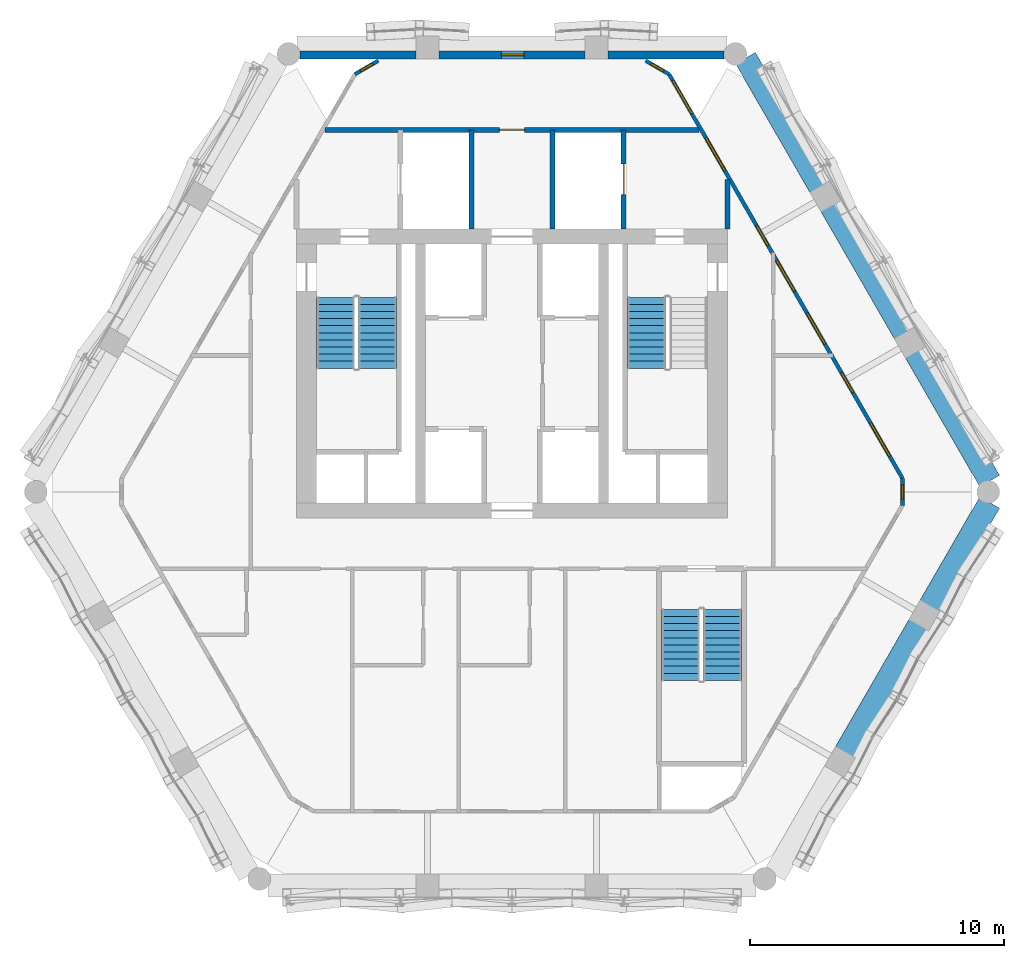
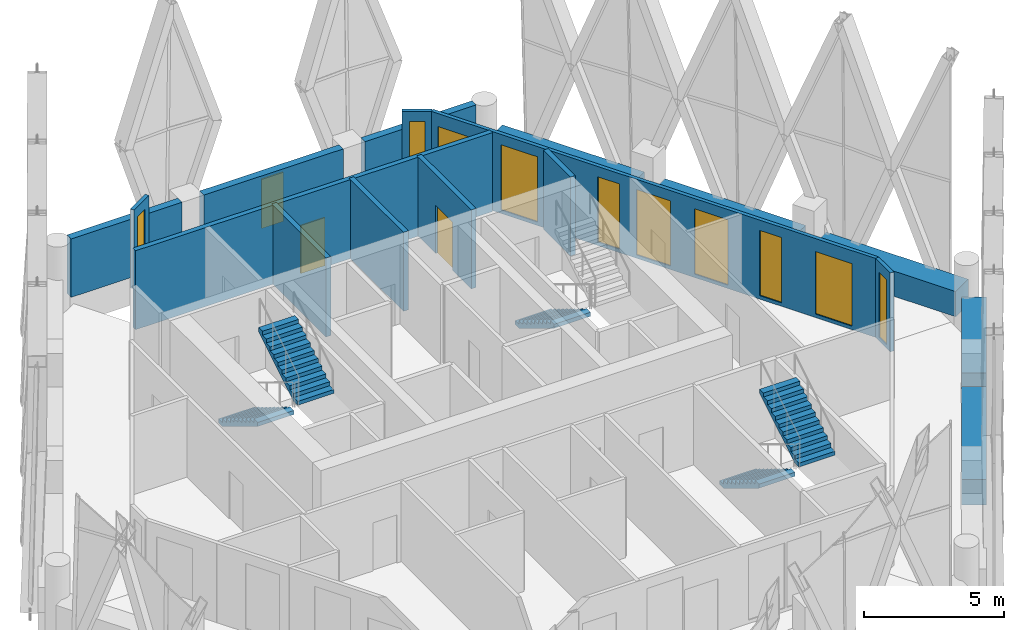
# One storey, part 15 of 22: 17 walls, 11 windows, 5 stair flights, 2 doors, 13 openings, 3 elements without a shape of their own.
"""IFC4 building model written with IfcOpenShell, lengths in metres."""

from ifc_helpers import new_model, si_unit, direction, frame, frame_2d, origin, place, context, subcontext, project, spatial, polyline, rectangle, outline, extrude, material, layer, layer_set, type_object, element, fill, aggregate, save


model = new_model("IFC4")

# Units and contexts
model_context = context("Model", 3, precision=1e-05, world=origin(), true_north=direction((0.0, 1.0)))
body_context = subcontext(model_context, "Body", "Model", "MODEL_VIEW")
ifc_project = project(units=[si_unit("LENGTHUNIT", "METRE"), si_unit("AREAUNIT", "SQUARE_METRE"), si_unit("VOLUMEUNIT", "CUBIC_METRE"), si_unit("PLANEANGLEUNIT", "RADIAN"), si_unit("MASSUNIT", "GRAM", prefix="KILO")], contexts=[model_context])

# Site, building, storey
site_placement = place(None, origin())
site = spatial("IfcSite", under=ifc_project, at=site_placement, CompositionType="ELEMENT")
building_placement = place(site_placement, origin())
building = spatial("IfcBuilding", under=site, at=building_placement, Name="Ostrander Bayou Hotel Tower", CompositionType="ELEMENT")
storey_placement = place(building_placement, frame((0.0, 0.0, 245.0)))
storey = spatial("IfcBuildingStorey", under=building, at=storey_placement, Name="L60", CompositionType="ELEMENT", Elevation=245.0)

# Wall, openings, windows
ifc_material_1 = material(Name="Aluminium framed insulated wall", Category="aluminium")
ifc_layer_1 = layer(ifc_material_1, 0.14990234375)
ifc_layer_set_1 = layer_set([ifc_layer_1], Name="GW1 glass-line wall 150 mm")
wall_type_1 = type_object("IfcWallType", Name="GW1 glass-line wall 150 mm", PredefinedType="SOLIDWALL", material=ifc_layer_set_1)
wall_1_placement = place(storey_placement, frame((15.387451171875, -0.133056640625, 0.0), z_axis=(0.0, 0.0, 1.0), x_axis=(-0.499998651697, 0.866026182226, 0.0)))
wall_1 = element("IfcWall", 1, at=wall_1_placement, inside=storey, type_object=wall_type_1, Name="GW1 L60 NE 1", PredefinedType="SOLIDWALL", context=body_context, shape_type="SweptSolid", body=[
    extrude(rectangle(XDim=18.38916015625, YDim=0.14990234375, at=frame_2d((9.194580078125, 0.0))), origin(), (0.0, 0.0, 1.0), 3.449951171875),
])
opening_1_placement = place(wall_1_placement, frame((3.908935546875, 0.0, 0.14990234375)))
opening_1 = element("IfcOpeningElement", 2, at=opening_1_placement, cuts=wall_1, Name="Opening W18", PredefinedType="OPENING", context=body_context, shape_type="SweptSolid", body=[
    extrude(rectangle(XDim=0.89990234375, YDim=2.85009765625, at=frame_2d((0.449951171875, 1.425048828125))), frame((0.0, 0.074951171875, 0.0), z_axis=(0.0, -1.0, 0.0), x_axis=(1.0, 0.0, 0.0)), (0.0, 0.0, 1.0), 0.14990234375),
])
opening_2_placement = place(wall_1_placement, frame((6.10888671875, 0.0, 0.14990234375)))
opening_2 = element("IfcOpeningElement", 3, at=opening_2_placement, cuts=wall_1, Name="Opening W14", PredefinedType="OPENING", context=body_context, shape_type="SweptSolid", body=[
    extrude(rectangle(XDim=1.39990234375, YDim=2.85009765625, at=frame_2d((0.699951171875, 1.425048828125))), frame((0.0, 0.074951171875, 0.0), z_axis=(0.0, -1.0, 0.0), x_axis=(1.0, 0.0, 0.0)), (0.0, 0.0, 1.0), 0.14990234375),
])
opening_3_placement = place(wall_1_placement, frame((10.60302734375, 0.0, 0.14990234375)))
opening_3 = element("IfcOpeningElement", 4, at=opening_3_placement, cuts=wall_1, Name="Opening W18", PredefinedType="OPENING", context=body_context, shape_type="SweptSolid", body=[
    extrude(rectangle(XDim=0.89990234375, YDim=2.85009765625, at=frame_2d((0.449951171875, 1.425048828125))), frame((0.0, 0.074951171875, 0.0), z_axis=(0.0, -1.0, 0.0), x_axis=(1.0, 0.0, 0.0)), (0.0, 0.0, 1.0), 0.14990234375),
])
opening_4_placement = place(wall_1_placement, frame((8.503173828125, 0.0, 0.14990234375)))
opening_4 = element("IfcOpeningElement", 5, at=opening_4_placement, cuts=wall_1, Name="Opening W14", PredefinedType="OPENING", context=body_context, shape_type="SweptSolid", body=[
    extrude(rectangle(XDim=1.39990234375, YDim=2.85009765625, at=frame_2d((0.699951171875, 1.425048828125))), frame((0.0, 0.074951171875, 0.0), z_axis=(0.0, -1.0, 0.0), x_axis=(1.0, 0.0, 0.0)), (0.0, 0.0, 1.0), 0.14990234375),
])
opening_5_placement = place(wall_1_placement, frame((13.99560546875, 0.0, 0.14990234375)))
opening_5 = element("IfcOpeningElement", 6, at=opening_5_placement, cuts=wall_1, Name="Opening W4", PredefinedType="OPENING", context=body_context, shape_type="SweptSolid", body=[
    extrude(rectangle(XDim=1.5, YDim=2.85009765625, at=frame_2d((0.75, 1.425048828125))), frame((0.0, 0.074951171875, 0.0), z_axis=(0.0, -1.0, 0.0), x_axis=(1.0, 0.0, 0.0)), (0.0, 0.0, 1.0), 0.14990234375),
])
opening_6_placement = place(wall_1_placement, frame((1.00439453125, 0.0, 0.14990234375)))
opening_6 = element("IfcOpeningElement", 7, at=opening_6_placement, cuts=wall_1, Name="Opening W4", PredefinedType="OPENING", context=body_context, shape_type="SweptSolid", body=[
    extrude(rectangle(XDim=1.5, YDim=2.72998046875, at=frame_2d((0.75, 1.364990234375))), frame((0.0, 0.074951171875, 0.0), z_axis=(0.0, -1.0, 0.0), x_axis=(1.0, 0.0, 0.0)), (0.0, 0.0, 1.0), 0.14990234375),
])
opening_7_placement = place(wall_1_placement, frame((16.59912109375, 0.0, 0.14990234375)))
opening_7 = element("IfcOpeningElement", 8, at=opening_7_placement, cuts=wall_1, Name="Opening W4", PredefinedType="OPENING", context=body_context, shape_type="SweptSolid", body=[
    extrude(rectangle(XDim=1.5, YDim=2.72998046875, at=frame_2d((0.75, 1.364990234375))), frame((0.0, 0.074951171875, 0.0), z_axis=(0.0, -1.0, 0.0), x_axis=(1.0, 0.0, 0.0)), (0.0, 0.0, 1.0), 0.14990234375),
])
ifc_material_2 = material(Name="Aluminium and clear glass", Category="aluminium")
window_type_1 = type_object("IfcWindowType", Name="W14 fixed window 1400 mm, bath bay, zone 4", PartitioningType="SINGLE_PANEL", PredefinedType="WINDOW", material=ifc_material_2)
window_1_placement = place(opening_2_placement, origin())
window_1 = element("IfcWindow", 9, at=window_1_placement, inside=storey, type_object=window_type_1, Name="W14 L60 NE 2", OverallHeight=2.85009765625, OverallWidth=1.39990234375, PartitioningType="SINGLE_PANEL", PredefinedType="WINDOW", context=body_context, shape_type="SweptSolid", body=[
    extrude(rectangle(XDim=1.39990234375, YDim=2.85009765625, at=frame_2d((0.699951171875, 1.425048828125))), frame((0.0, 0.030029296875, 0.0), z_axis=(0.0, -1.0, 0.0), x_axis=(1.0, 0.0, 0.0)), (0.0, 0.0, 1.0), 0.06005859375),
])
fill(opening_2, window_1)
window_2_placement = place(opening_4_placement, origin())
window_2 = element("IfcWindow", 10, at=window_2_placement, inside=storey, type_object=window_type_1, Name="W14 L60 NE 3", OverallHeight=2.85009765625, OverallWidth=1.39990234375, PartitioningType="SINGLE_PANEL", PredefinedType="WINDOW", context=body_context, shape_type="SweptSolid", body=[
    extrude(rectangle(XDim=1.39990234375, YDim=2.85009765625, at=frame_2d((0.699951171875, 1.425048828125))), frame((0.0, 0.030029296875, 0.0), z_axis=(0.0, -1.0, 0.0), x_axis=(1.0, 0.0, 0.0)), (0.0, 0.0, 1.0), 0.06005859375),
])
fill(opening_4, window_2)
ifc_material_3 = material(Name="Aluminium and clear glass", Category="aluminium")
window_type_2 = type_object("IfcWindowType", Name="W18 window 900 mm, zone 4", PartitioningType="SINGLE_PANEL", PredefinedType="WINDOW", material=ifc_material_3)
window_3_placement = place(opening_1_placement, origin())
window_3 = element("IfcWindow", 11, at=window_3_placement, inside=storey, type_object=window_type_2, Name="W18 L60 NE 2", OverallHeight=2.85009765625, OverallWidth=0.89990234375, PartitioningType="SINGLE_PANEL", PredefinedType="WINDOW", context=body_context, shape_type="SweptSolid", body=[
    extrude(rectangle(XDim=0.89990234375, YDim=2.85009765625, at=frame_2d((0.449951171875, 1.425048828125))), frame((0.0, 0.030029296875, 0.0), z_axis=(0.0, -1.0, 0.0), x_axis=(1.0, 0.0, 0.0)), (0.0, 0.0, 1.0), 0.06005859375),
])
fill(opening_1, window_3)
window_4_placement = place(opening_3_placement, origin())
window_4 = element("IfcWindow", 12, at=window_4_placement, inside=storey, type_object=window_type_2, Name="W18 L60 NE 3", OverallHeight=2.85009765625, OverallWidth=0.89990234375, PartitioningType="SINGLE_PANEL", PredefinedType="WINDOW", context=body_context, shape_type="SweptSolid", body=[
    extrude(rectangle(XDim=0.89990234375, YDim=2.85009765625, at=frame_2d((0.449951171875, 1.425048828125))), frame((0.0, 0.030029296875, 0.0), z_axis=(0.0, -1.0, 0.0), x_axis=(1.0, 0.0, 0.0)), (0.0, 0.0, 1.0), 0.06005859375),
])
fill(opening_3, window_4)
ifc_material_4 = material(Name="Aluminium and clear glass", Category="aluminium")
window_type_3 = type_object("IfcWindowType", Name="W4 fixed window 1500 mm, zone 4", PartitioningType="SINGLE_PANEL", PredefinedType="WINDOW", material=ifc_material_4)
window_5_placement = place(opening_5_placement, origin())
window_5 = element("IfcWindow", 13, at=window_5_placement, inside=storey, type_object=window_type_3, Name="W4 L60 NE 4", OverallHeight=2.85009765625, OverallWidth=1.5, PartitioningType="SINGLE_PANEL", PredefinedType="WINDOW", context=body_context, shape_type="SweptSolid", body=[
    extrude(rectangle(XDim=1.5, YDim=2.85009765625, at=frame_2d((0.75, 1.425048828125))), frame((0.0, 0.030029296875, 0.0), z_axis=(0.0, -1.0, 0.0), x_axis=(1.0, 0.0, 0.0)), (0.0, 0.0, 1.0), 0.06005859375),
])
fill(opening_5, window_5)
window_6_placement = place(opening_6_placement, origin())
window_6 = element("IfcWindow", 14, at=window_6_placement, inside=storey, type_object=window_type_3, Name="W4 L60 NE E11", OverallHeight=2.72998046875, OverallWidth=1.5, PartitioningType="SINGLE_PANEL", PredefinedType="WINDOW", context=body_context, shape_type="SweptSolid", body=[
    extrude(rectangle(XDim=1.5, YDim=2.72998046875, at=frame_2d((0.75, 1.364990234375))), frame((0.0, 0.030029296875, 0.0), z_axis=(0.0, -1.0, 0.0), x_axis=(1.0, 0.0, 0.0)), (0.0, 0.0, 1.0), 0.06005859375),
])
fill(opening_6, window_6)
window_7_placement = place(opening_7_placement, origin())
window_7 = element("IfcWindow", 15, at=window_7_placement, inside=storey, type_object=window_type_3, Name="W4 L60 NE E21", OverallHeight=2.72998046875, OverallWidth=1.5, PartitioningType="SINGLE_PANEL", PredefinedType="WINDOW", context=body_context, shape_type="SweptSolid", body=[
    extrude(rectangle(XDim=1.5, YDim=2.72998046875, at=frame_2d((0.75, 1.364990234375))), frame((0.0, 0.030029296875, 0.0), z_axis=(0.0, -1.0, 0.0), x_axis=(1.0, 0.0, 0.0)), (0.0, 0.0, 1.0), 0.06005859375),
])
fill(opening_7, window_7)

# Wall, opening, window
wall_2_placement = place(storey_placement, frame((-5.2705078125, 16.324951171875, 0.0), z_axis=(0.0, 0.0, 1.0), x_axis=(-0.866048165231, -0.499960573946, 0.0)))
wall_2 = element("IfcWall", 16, at=wall_2_placement, inside=storey, type_object=wall_type_1, Name="GW1 L60 corner 1", PredefinedType="SOLIDWALL", context=body_context, shape_type="SweptSolid", body=[
    extrude(rectangle(XDim=1.06494140625, YDim=0.14990234375, at=frame_2d((0.532470703125, 0.0))), origin(), (0.0, 0.0, 1.0), 3.449951171875),
])
opening_8_placement = place(wall_2_placement, frame((0.257568359375, 0.0, 0.14990234375)))
opening_8 = element("IfcOpeningElement", 17, at=opening_8_placement, cuts=wall_2, Name="Opening W19", PredefinedType="OPENING", context=body_context, shape_type="SweptSolid", body=[
    extrude(rectangle(XDim=0.550048828125, YDim=2.85009765625, at=frame_2d((0.27490234375, 1.425048828125))), frame((0.0, 0.074951171875, 0.0), z_axis=(0.0, -1.0, 0.0), x_axis=(1.0, 0.0, 0.0)), (0.0, 0.0, 1.0), 0.14990234375),
])
ifc_material_5 = material(Name="Aluminium and clear glass", Category="aluminium")
window_type_4 = type_object("IfcWindowType", Name="W19 corner window 550 mm", PartitioningType="SINGLE_PANEL", PredefinedType="WINDOW", material=ifc_material_5)
window_8_placement = place(opening_8_placement, origin())
window_8 = element("IfcWindow", 18, at=window_8_placement, inside=storey, type_object=window_type_4, Name="W19 L60 corner 1", OverallHeight=2.85009765625, OverallWidth=0.550048828125, PartitioningType="SINGLE_PANEL", PredefinedType="WINDOW", context=body_context, shape_type="SweptSolid", body=[
    extrude(rectangle(XDim=0.550048828125, YDim=2.85009765625, at=frame_2d((0.27490234375, 1.425048828125))), frame((0.0, 0.030029296875, 0.0), z_axis=(0.0, -1.0, 0.0), x_axis=(1.0, 0.0, 0.0)), (0.0, 0.0, 1.0), 0.06005859375),
])
fill(opening_8, window_8)

wall_3_placement = place(storey_placement, frame((15.387451171875, -1.197998046875, 0.0), z_axis=(0.0, 0.0, 1.0), x_axis=(0.0, 1.0, 0.0)))
wall_3 = element("IfcWall", 19, at=wall_3_placement, inside=storey, type_object=wall_type_1, Name="GW1 L60 corner 5", PredefinedType="SOLIDWALL", context=body_context, shape_type="SweptSolid", body=[
    extrude(rectangle(XDim=1.06494140625, YDim=0.14990234375, at=frame_2d((0.532470703125, 0.0))), origin(), (0.0, 0.0, 1.0), 3.449951171875),
])
opening_9_placement = place(wall_3_placement, frame((0.257568359375, 0.0, 0.14990234375)))
opening_9 = element("IfcOpeningElement", 20, at=opening_9_placement, cuts=wall_3, Name="Opening W19", PredefinedType="OPENING", context=body_context, shape_type="SweptSolid", body=[
    extrude(rectangle(XDim=0.550048828125, YDim=2.85009765625, at=frame_2d((0.27490234375, 1.425048828125))), frame((0.0, 0.074951171875, 0.0), z_axis=(0.0, -1.0, 0.0), x_axis=(1.0, 0.0, 0.0)), (0.0, 0.0, 1.0), 0.14990234375),
])
window_9_placement = place(opening_9_placement, origin())
window_9 = element("IfcWindow", 21, at=window_9_placement, inside=storey, type_object=window_type_4, Name="W19 L60 corner 5", OverallHeight=2.85009765625, OverallWidth=0.550048828125, PartitioningType="SINGLE_PANEL", PredefinedType="WINDOW", context=body_context, shape_type="SweptSolid", body=[
    extrude(rectangle(XDim=0.550048828125, YDim=2.85009765625, at=frame_2d((0.27490234375, 1.425048828125))), frame((0.0, 0.030029296875, 0.0), z_axis=(0.0, -1.0, 0.0), x_axis=(1.0, 0.0, 0.0)), (0.0, 0.0, 1.0), 0.06005859375),
])
fill(opening_9, window_9)

wall_4_placement = place(storey_placement, frame((6.19287109375, 15.79248046875, 0.0), z_axis=(0.0, 0.0, 1.0), x_axis=(-0.866048165231, 0.499960573946, 0.0)))
wall_4 = element("IfcWall", 22, at=wall_4_placement, inside=storey, type_object=wall_type_1, Name="GW1 L60 corner 6", PredefinedType="SOLIDWALL", context=body_context, shape_type="SweptSolid", body=[
    extrude(rectangle(XDim=1.06494140625, YDim=0.14990234375, at=frame_2d((0.532470703125, 0.0))), origin(), (0.0, 0.0, 1.0), 3.449951171875),
])
opening_10_placement = place(wall_4_placement, frame((0.257568359375, 0.0, 0.14990234375)))
opening_10 = element("IfcOpeningElement", 23, at=opening_10_placement, cuts=wall_4, Name="Opening W19", PredefinedType="OPENING", context=body_context, shape_type="SweptSolid", body=[
    extrude(rectangle(XDim=0.550048828125, YDim=2.85009765625, at=frame_2d((0.27490234375, 1.425048828125))), frame((0.0, 0.074951171875, 0.0), z_axis=(0.0, -1.0, 0.0), x_axis=(1.0, 0.0, 0.0)), (0.0, 0.0, 1.0), 0.14990234375),
])
window_10_placement = place(opening_10_placement, origin())
window_10 = element("IfcWindow", 24, at=window_10_placement, inside=storey, type_object=window_type_4, Name="W19 L60 corner 6", OverallHeight=2.85009765625, OverallWidth=0.550048828125, PartitioningType="SINGLE_PANEL", PredefinedType="WINDOW", context=body_context, shape_type="SweptSolid", body=[
    extrude(rectangle(XDim=0.550048828125, YDim=2.85009765625, at=frame_2d((0.27490234375, 1.425048828125))), frame((0.0, 0.030029296875, 0.0), z_axis=(0.0, -1.0, 0.0), x_axis=(1.0, 0.0, 0.0)), (0.0, 0.0, 1.0), 0.06005859375),
])
fill(opening_10, window_10)

# Wall
ifc_material_6 = material(Name="Reconstituted stone on masonry backing", Category="masonry")
ifc_layer_2 = layer(ifc_material_6, 0.300048828125)
ifc_layer_set_2 = layer_set([ifc_layer_2], Name="NW1 north stone wall 300 mm")
wall_type_2 = type_object("IfcWallType", Name="NW1 north stone wall 300 mm", PredefinedType="SOLIDWALL", material=ifc_layer_set_2)
wall_5_placement = place(storey_placement, frame((8.36279296875, 16.550048828125, 0.0), z_axis=(0.0, 0.0, 1.0), x_axis=(-1.0, 0.0, 0.0)))
element("IfcWall", 25, at=wall_5_placement, inside=storey, type_object=wall_type_2, Name="NW1 L60 N-1", PredefinedType="SOLIDWALL", context=body_context, shape_type="SweptSolid", body=[
    extrude(rectangle(XDim=4.58349609375, YDim=0.300048828125, at=frame_2d((2.291748046875, 0.0))), origin(), (0.0, 0.0, 1.0), 2.550048828125),
])

# Wall, opening, window
wall_6_placement = place(storey_placement, frame((2.87939453125, 16.550048828125, 0.0), z_axis=(0.0, 0.0, 1.0), x_axis=(-1.0, 0.0, 0.0)))
wall_6 = element("IfcWall", 26, at=wall_6_placement, inside=storey, type_object=wall_type_2, Name="NW1 L60 N-2", PredefinedType="SOLIDWALL", context=body_context, shape_type="SweptSolid", body=[
    extrude(rectangle(XDim=5.7587890625, YDim=0.300048828125, at=frame_2d((2.87939453125, 0.0))), origin(), (0.0, 0.0, 1.0), 2.550048828125),
])
opening_11_placement = place(wall_6_placement, frame((2.39990234375, 0.0, 0.14990234375)))
opening_11 = element("IfcOpeningElement", 27, at=opening_11_placement, cuts=wall_6, Name="Opening W18", PredefinedType="OPENING", context=body_context, shape_type="SweptSolid", body=[
    extrude(rectangle(XDim=0.89990234375, YDim=2.14990234375, at=frame_2d((0.449951171875, 1.074951171875))), frame((0.0, 0.14990234375, 0.0), z_axis=(0.0, -1.0, 0.0), x_axis=(1.0, 0.0, 0.0)), (0.0, 0.0, 1.0), 0.300048828125),
])
window_11_placement = place(opening_11_placement, origin())
window_11 = element("IfcWindow", 28, at=window_11_placement, inside=storey, type_object=window_type_2, Name="W18 L60 north N-2", OverallHeight=2.14990234375, OverallWidth=0.89990234375, PartitioningType="SINGLE_PANEL", PredefinedType="WINDOW", context=body_context, shape_type="SweptSolid", body=[
    extrude(rectangle(XDim=0.89990234375, YDim=2.14990234375, at=frame_2d((0.449951171875, 1.074951171875))), frame((0.0, 0.030029296875, 0.0), z_axis=(0.0, -1.0, 0.0), x_axis=(1.0, 0.0, 0.0)), (0.0, 0.0, 1.0), 0.06005859375),
])
fill(opening_11, window_11)

# Walls
wall_7_placement = place(storey_placement, frame((-3.779296875, 16.550048828125, 0.0), z_axis=(0.0, 0.0, 1.0), x_axis=(-1.0, 0.0, 0.0)))
element("IfcWall", 29, at=wall_7_placement, inside=storey, type_object=wall_type_2, Name="NW1 L60 N-3", PredefinedType="SOLIDWALL", context=body_context, shape_type="SweptSolid", body=[
    extrude(rectangle(XDim=4.58349609375, YDim=0.300048828125, at=frame_2d((2.291748046875, 0.0))), origin(), (0.0, 0.0, 1.0), 2.550048828125),
])
ifc_material_7 = material(Name="Concrete f'c 40 MPa", Category="concrete")
ifc_layer_3 = layer(ifc_material_7, 0.89990234375)
ifc_layer_set_3 = layer_set([ifc_layer_3], Name="PA1 stone-faced parapet 900 mm")
wall_type_3 = type_object("IfcWallType", Name="PA1 stone-faced parapet 900 mm", PredefinedType="PARAPET", material=ifc_layer_set_3)
wall_8_placement = place(storey_placement, frame((18.828857421875, -0.24365234375, 0.0), z_axis=(0.0, 0.0, 1.0), x_axis=(-0.499990994059, 0.866030603304, 0.0)))
element("IfcWall", 30, at=wall_8_placement, inside=storey, type_object=wall_type_3, Name="PA1 L60 NE-1", PredefinedType="PARAPET", context=body_context, shape_type="SweptSolid", body=[
    extrude(rectangle(XDim=5.8759765625, YDim=0.89990234375, at=frame_2d((2.93798828125, 0.0))), origin(), (0.0, 0.0, 1.0), 1.10009765625),
])
wall_9_placement = place(storey_placement, frame((15.470947265625, 5.572509765625, 0.0), z_axis=(0.0, 0.0, 1.0), x_axis=(-0.499997265274, 0.866026982673, 0.0)))
element("IfcWall", 31, at=wall_9_placement, inside=storey, type_object=wall_type_3, Name="PA1 L60 NE-2", PredefinedType="PARAPET", context=body_context, shape_type="SweptSolid", body=[
    extrude(rectangle(XDim=5.81884765625, YDim=0.89990234375, at=frame_2d((2.909423828125, 0.0))), origin(), (0.0, 0.0, 1.0), 1.10009765625),
])
wall_10_placement = place(storey_placement, frame((12.1416015625, 11.33935546875, 0.0), z_axis=(0.0, 0.0, 1.0), x_axis=(-0.500008985279, 0.866020216069, 0.0)))
element("IfcWall", 32, at=wall_10_placement, inside=storey, type_object=wall_type_3, Name="PA1 L60 NE-3", PredefinedType="PARAPET", context=body_context, shape_type="SweptSolid", body=[
    extrude(rectangle(XDim=5.8759765625, YDim=0.89990234375, at=frame_2d((2.93798828125, 0.0))), origin(), (0.0, 0.0, 1.0), 1.10009765625),
])
ifc_material_8 = material(Name="Limestone masonry", Category="masonry")
ifc_layer_4 = layer(ifc_material_8, 0.89990234375)
ifc_layer_set_4 = layer_set([ifc_layer_4], Name="PA2 limestone parapet 900 mm")
wall_type_4 = type_object("IfcWallType", Name="PA2 limestone parapet 900 mm", PredefinedType="PARAPET", material=ifc_layer_set_4)
wall_11_placement = place(storey_placement, frame((13.1376953125, -10.944580078125, 0.0), z_axis=(0.0, 0.0, 1.0), x_axis=(0.500015433515, 0.866016493057, 0.0)))
element("IfcWall", 33, at=wall_11_placement, inside=storey, type_object=wall_type_4, Name="PA2 L60 SE-2", PredefinedType="PARAPET", context=body_context, shape_type="SweptSolid", body=[
    extrude(rectangle(XDim=5.818603515625, YDim=0.89990234375, at=frame_2d((2.9091796875, 0.0))), origin(), (0.0, 0.0, 1.0), 1.10009765625),
])
wall_12_placement = place(storey_placement, frame((16.46728515625, -5.177978515625, 0.0), z_axis=(0.0, 0.0, 1.0), x_axis=(0.499980471007, 0.86603667856, 0.0)))
element("IfcWall", 34, at=wall_12_placement, inside=storey, type_object=wall_type_4, Name="PA2 L60 SE-3", PredefinedType="PARAPET", context=body_context, shape_type="SweptSolid", body=[
    extrude(rectangle(XDim=4.723388671875, YDim=0.89990234375, at=frame_2d((2.36181640625, 0.0))), origin(), (0.0, 0.0, 1.0), 1.10009765625),
])

# Wall, opening, door
ifc_material_9 = material(Name="Masonry block", Category="masonry")
ifc_layer_5 = layer(ifc_material_9, 0.199951171875)
ifc_layer_set_5 = layer_set([ifc_layer_5], Name="PT5 stair enclosure wall 200 mm masonry, 2 hour")
wall_type_5 = type_object("IfcWallType", Name="PT5 stair enclosure wall 200 mm masonry, 2 hour", PredefinedType="PARTITIONING", material=ifc_layer_set_5)
wall_13_placement = place(storey_placement, frame((-7.372314453125, 13.60009765625, 0.0), z_axis=(0.0, 0.0, 1.0), x_axis=(1.0, 0.0, 0.0)))
wall_13 = element("IfcWall", 35, at=wall_13_placement, inside=storey, type_object=wall_type_5, Name="cs:L60:020", PredefinedType="PARTITIONING", context=body_context, shape_type="SweptSolid", body=[
    extrude(rectangle(XDim=14.74462890625, YDim=0.199951171875, at=frame_2d((7.372314453125, 0.0))), origin(), (0.0, 0.0, 1.0), 3.449951171875),
])
opening_12_placement = place(wall_13_placement, frame((6.872314453125, 0.0, 0.0)))
opening_12 = element("IfcOpeningElement", 36, at=opening_12_placement, cuts=wall_13, Name="Opening T60-014", PredefinedType="OPENING", context=body_context, shape_type="SweptSolid", body=[
    extrude(rectangle(XDim=1.0, YDim=2.10009765625, at=frame_2d((0.5, 1.050048828125))), frame((0.0, 0.10009765625, 0.0), z_axis=(0.0, -1.0, 0.0), x_axis=(1.0, 0.0, 0.0)), (0.0, 0.0, 1.0), 0.199951171875),
])
ifc_material_10 = material(Name="Timber door leaf", Category="wood")
door_type_1 = type_object("IfcDoorType", Name="D9 service door 1000 x 2100 mm, 30 minute", OperationType="SINGLE_SWING_LEFT", PredefinedType="DOOR", material=ifc_material_10)
door_1_placement = place(opening_12_placement, origin())
door_1 = element("IfcDoor", 37, at=door_1_placement, inside=storey, type_object=door_type_1, Name="dr:L60:014", OperationType="SINGLE_SWING_LEFT", OverallHeight=2.10009765625, OverallWidth=1.0, PredefinedType="DOOR", context=body_context, shape_type="SweptSolid", body=[
    extrude(rectangle(XDim=1.0, YDim=2.10009765625, at=frame_2d((0.5, 1.050048828125))), frame((0.0, 0.02490234375, 0.0), z_axis=(0.0, -1.0, 0.0), x_axis=(1.0, 0.0, 0.0)), (0.0, 0.0, 1.0), 0.050048828125),
])
fill(opening_12, door_1)

# Wall
wall_14_placement = place(storey_placement, frame((8.5, 9.699951171875, 0.0), z_axis=(0.0, 0.0, 1.0), x_axis=(0.0, 1.0, 0.0)))
element("IfcWall", 38, at=wall_14_placement, inside=storey, type_object=wall_type_5, Name="cs:L60:022", PredefinedType="PARTITIONING", context=body_context, shape_type="SweptSolid", body=[
    extrude(rectangle(XDim=1.946533203125, YDim=0.199951171875, at=frame_2d((0.97314453125, 0.0))), origin(), (0.0, 0.0, 1.0), 3.449951171875),
])

# Wall, opening, door
wall_15_placement = place(storey_placement, frame((4.39990234375, 9.699951171875, 0.0), z_axis=(0.0, 0.0, 1.0), x_axis=(0.0, 1.0, 0.0)))
wall_15 = element("IfcWall", 39, at=wall_15_placement, inside=storey, type_object=wall_type_5, Name="cs:L60:024", PredefinedType="PARTITIONING", context=body_context, shape_type="SweptSolid", body=[
    extrude(rectangle(XDim=3.900146484375, YDim=0.199951171875, at=frame_2d((1.9501953125, 0.0))), origin(), (0.0, 0.0, 1.0), 3.449951171875),
])
opening_13_placement = place(wall_15_placement, frame((1.35009765625, 0.0, 0.0)))
opening_13 = element("IfcOpeningElement", 40, at=opening_13_placement, cuts=wall_15, Name="Opening T60-013", PredefinedType="OPENING", context=body_context, shape_type="SweptSolid", body=[
    extrude(rectangle(XDim=1.199951171875, YDim=2.10009765625, at=frame_2d((0.60009765625, 1.050048828125))), frame((0.0, 0.10009765625, 0.0), z_axis=(0.0, -1.0, 0.0), x_axis=(1.0, 0.0, 0.0)), (0.0, 0.0, 1.0), 0.199951171875),
])
ifc_material_11 = material(Name="Stainless steel sliding door", Category="steel")
door_type_2 = type_object("IfcDoorType", Name="LD1 lift landing door 1200 x 2100 mm", OperationType="SINGLE_SWING_LEFT", PredefinedType="DOOR", material=ifc_material_11)
door_2_placement = place(opening_13_placement, origin())
door_2 = element("IfcDoor", 41, at=door_2_placement, inside=storey, type_object=door_type_2, Name="dr:L60:013", OperationType="SLIDING_TO_LEFT", OverallHeight=2.10009765625, OverallWidth=1.199951171875, PredefinedType="DOOR", context=body_context, shape_type="SweptSolid", body=[
    extrude(rectangle(XDim=1.199951171875, YDim=2.10009765625, at=frame_2d((0.60009765625, 1.050048828125))), frame((0.0, 0.02490234375, 0.0), z_axis=(0.0, -1.0, 0.0), x_axis=(1.0, 0.0, 0.0)), (0.0, 0.0, 1.0), 0.050048828125),
])
fill(opening_13, door_2)

# Walls
ifc_material_12 = material(Name="Masonry block", Category="masonry")
ifc_layer_6 = layer(ifc_material_12, 0.199951171875)
ifc_layer_set_6 = layer_set([ifc_layer_6], Name="PT6 lift shaft wall 200 mm masonry, 2 hour")
wall_type_6 = type_object("IfcWallType", Name="PT6 lift shaft wall 200 mm masonry, 2 hour", PredefinedType="PARTITIONING", material=ifc_layer_set_6)
for number, where, z_axis, x_axis, name in (
    (42, (-1.60009765625, 9.699951171875, 0.0), (0.0, 0.0, 1.0), (0.0, 1.0, 0.0), "cs:L60:025"),
    (43, (1.60009765625, 9.699951171875, 0.0), (0.0, 0.0, 1.0), (0.0, 1.0, 0.0), "cs:L60:026"),
):
    element("IfcWall", number, at=place(storey_placement, frame(where, z_axis=z_axis, x_axis=x_axis)), inside=storey, type_object=wall_type_6, Name=name, PredefinedType="PARTITIONING", context=body_context, shape_type="SweptSolid", body=[
        extrude(rectangle(XDim=3.900146484375, YDim=0.199951171875, at=frame_2d((1.9501953125, 0.0))), origin(), (0.0, 0.0, 1.0), 3.449951171875),
    ])

# Stair, stair flights
ifc_material_13 = material(Name="Concrete f'c 45 MPa", Category="concrete")
stair_type = type_object("IfcStairType", Name="ST1 exit stair 1500 mm f'c 45 MPa", PredefinedType="HALF_TURN_STAIR", material=ifc_material_13)
stair_1_placement = place(storey_placement, origin())
stair_1 = element("IfcStair", 44, at=stair_1_placement, inside=storey, type_object=stair_type, Name="L60 exit stair A", PredefinedType="HALF_TURN_STAIR")
ifc_material_14 = material(Name="Concrete f'c 45 MPa", Category="concrete")
stair_flight_type = type_object("IfcStairFlightType", Name="SF1 stair flight 1500 mm f'c 45 MPa", PredefinedType="STRAIGHT", material=ifc_material_14)
stair_flight_1_placement = place(storey_placement, frame((-6.949951171875, 7.0, 0.0), z_axis=(0.0, 0.0, 1.0), x_axis=(0.0, -1.0, 0.0)))
stair_flight_1 = element("IfcStairFlight", 45, at=stair_flight_1_placement, type_object=stair_flight_type, Name="STA flight 1", NumberOfRisers=11, NumberOfTreads=10, PredefinedType="STRAIGHT", RiserHeight=0.170454545, TreadLength=0.28, context=body_context, shape_type="SweptSolid", body=[
    extrude(outline(polyline([(0.0, 0.0), (0.0, 0.17041015625), (0.280029296875, 0.17041015625), (0.280029296875, 0.3408203125), (0.56005859375, 0.3408203125), (0.56005859375, 0.511474609375), (0.840087890625, 0.511474609375), (0.840087890625, 0.681884765625), (1.1201171875, 0.681884765625), (1.1201171875, 0.852294921875), (1.39990234375, 0.852294921875), (1.39990234375, 1.022705078125), (1.679931640625, 1.022705078125), (1.679931640625, 1.193115234375), (1.9599609375, 1.193115234375), (1.9599609375, 1.363525390625), (2.239990234375, 1.363525390625), (2.239990234375, 1.5341796875), (2.52001953125, 1.5341796875), (2.52001953125, 1.70458984375), (2.800048828125, 1.70458984375), (2.800048828125, 1.875), (2.800048828125, 1.529052734375), (0.288330078125, 0.0), (0.0, 0.0)])), frame((0.0, 0.75, 0.0), z_axis=(0.0, -1.0, 0.0), x_axis=(1.0, 0.0, 0.0)), (0.0, 0.0, 1.0), 1.5),
])
stair_flight_2_placement = place(storey_placement, frame((-5.300048828125, 4.199951171875, 1.875), z_axis=(0.0, 0.0, 1.0), x_axis=(0.0, 1.0, 0.0)))
stair_flight_2 = element("IfcStairFlight", 46, at=stair_flight_2_placement, type_object=stair_flight_type, Name="STA flight 2", NumberOfRisers=11, NumberOfTreads=10, PredefinedType="STRAIGHT", RiserHeight=0.170454545, TreadLength=0.28, context=body_context, shape_type="SweptSolid", body=[
    extrude(outline(polyline([(0.0, 0.0), (0.0, 0.17041015625), (0.280029296875, 0.17041015625), (0.280029296875, 0.3408203125), (0.56005859375, 0.3408203125), (0.56005859375, 0.511474609375), (0.840087890625, 0.511474609375), (0.840087890625, 0.681884765625), (1.1201171875, 0.681884765625), (1.1201171875, 0.852294921875), (1.39990234375, 0.852294921875), (1.39990234375, 1.022705078125), (1.679931640625, 1.022705078125), (1.679931640625, 1.193115234375), (1.9599609375, 1.193115234375), (1.9599609375, 1.363525390625), (2.239990234375, 1.363525390625), (2.239990234375, 1.5341796875), (2.52001953125, 1.5341796875), (2.52001953125, 1.70458984375), (2.800048828125, 1.70458984375), (2.800048828125, 1.875), (2.800048828125, 1.529052734375), (0.288330078125, 0.0), (0.0, 0.0)])), frame((0.0, 0.75, 0.0), z_axis=(0.0, -1.0, 0.0), x_axis=(1.0, 0.0, 0.0)), (0.0, 0.0, 1.0), 1.5),
])
aggregate(stair_1, [stair_flight_1, stair_flight_2])

# Stair, stair flight
stair_2_placement = place(storey_placement, origin())
stair_2 = element("IfcStair", 47, at=stair_2_placement, inside=storey, type_object=stair_type, Name="L60 exit stair B", PredefinedType="HALF_TURN_STAIR")
stair_flight_3_placement = place(storey_placement, frame((5.300048828125, 7.0, 0.0), z_axis=(0.0, 0.0, 1.0), x_axis=(0.0, -1.0, 0.0)))
stair_flight_3 = element("IfcStairFlight", 48, at=stair_flight_3_placement, type_object=stair_flight_type, Name="STB flight 1", NumberOfRisers=11, NumberOfTreads=10, PredefinedType="STRAIGHT", RiserHeight=0.170454545, TreadLength=0.28, context=body_context, shape_type="SweptSolid", body=[
    extrude(outline(polyline([(0.0, 0.0), (0.0, 0.17041015625), (0.280029296875, 0.17041015625), (0.280029296875, 0.3408203125), (0.56005859375, 0.3408203125), (0.56005859375, 0.511474609375), (0.840087890625, 0.511474609375), (0.840087890625, 0.681884765625), (1.1201171875, 0.681884765625), (1.1201171875, 0.852294921875), (1.39990234375, 0.852294921875), (1.39990234375, 1.022705078125), (1.679931640625, 1.022705078125), (1.679931640625, 1.193115234375), (1.9599609375, 1.193115234375), (1.9599609375, 1.363525390625), (2.239990234375, 1.363525390625), (2.239990234375, 1.5341796875), (2.52001953125, 1.5341796875), (2.52001953125, 1.70458984375), (2.800048828125, 1.70458984375), (2.800048828125, 1.875), (2.800048828125, 1.529052734375), (0.288330078125, 0.0), (0.0, 0.0)])), frame((0.0, 0.75, 0.0), z_axis=(0.0, -1.0, 0.0), x_axis=(1.0, 0.0, 0.0)), (0.0, 0.0, 1.0), 1.5),
])
aggregate(stair_2, [stair_flight_3])

# Stair, stair flights
stair_3_placement = place(storey_placement, origin())
stair_3 = element("IfcStair", 49, at=stair_3_placement, inside=storey, type_object=stair_type, Name="L60 exit stair C", PredefinedType="HALF_TURN_STAIR")
stair_flight_4_placement = place(storey_placement, frame((6.64990234375, -5.300048828125, 0.0), z_axis=(0.0, 0.0, 1.0), x_axis=(0.0, -1.0, 0.0)))
stair_flight_4 = element("IfcStairFlight", 50, at=stair_flight_4_placement, type_object=stair_flight_type, Name="STC flight 1", NumberOfRisers=11, NumberOfTreads=10, PredefinedType="STRAIGHT", RiserHeight=0.170454545, TreadLength=0.28, context=body_context, shape_type="SweptSolid", body=[
    extrude(outline(polyline([(0.0, 0.0), (0.0, 0.17041015625), (0.280029296875, 0.17041015625), (0.280029296875, 0.3408203125), (0.56005859375, 0.3408203125), (0.56005859375, 0.511474609375), (0.840087890625, 0.511474609375), (0.840087890625, 0.681884765625), (1.1201171875, 0.681884765625), (1.1201171875, 0.852294921875), (1.39990234375, 0.852294921875), (1.39990234375, 1.022705078125), (1.679931640625, 1.022705078125), (1.679931640625, 1.193115234375), (1.9599609375, 1.193115234375), (1.9599609375, 1.363525390625), (2.239990234375, 1.363525390625), (2.239990234375, 1.5341796875), (2.52001953125, 1.5341796875), (2.52001953125, 1.70458984375), (2.800048828125, 1.70458984375), (2.800048828125, 1.875), (2.800048828125, 1.529052734375), (0.288330078125, 0.0), (0.0, 0.0)])), frame((0.0, 0.75, 0.0), z_axis=(0.0, -1.0, 0.0), x_axis=(1.0, 0.0, 0.0)), (0.0, 0.0, 1.0), 1.5),
])
stair_flight_5_placement = place(storey_placement, frame((8.300048828125, -8.10009765625, 1.875), z_axis=(0.0, 0.0, 1.0), x_axis=(0.0, 1.0, 0.0)))
stair_flight_5 = element("IfcStairFlight", 51, at=stair_flight_5_placement, type_object=stair_flight_type, Name="STC flight 2", NumberOfRisers=11, NumberOfTreads=10, PredefinedType="STRAIGHT", RiserHeight=0.170454545, TreadLength=0.28, context=body_context, shape_type="SweptSolid", body=[
    extrude(outline(polyline([(0.0, 0.0), (0.0, 0.17041015625), (0.280029296875, 0.17041015625), (0.280029296875, 0.3408203125), (0.56005859375, 0.3408203125), (0.56005859375, 0.511474609375), (0.840087890625, 0.511474609375), (0.840087890625, 0.681884765625), (1.1201171875, 0.681884765625), (1.1201171875, 0.852294921875), (1.39990234375, 0.852294921875), (1.39990234375, 1.022705078125), (1.679931640625, 1.022705078125), (1.679931640625, 1.193115234375), (1.9599609375, 1.193115234375), (1.9599609375, 1.363525390625), (2.239990234375, 1.363525390625), (2.239990234375, 1.5341796875), (2.52001953125, 1.5341796875), (2.52001953125, 1.70458984375), (2.800048828125, 1.70458984375), (2.800048828125, 1.875), (2.800048828125, 1.529052734375), (0.288330078125, 0.0), (0.0, 0.0)])), frame((0.0, 0.75, 0.0), z_axis=(0.0, -1.0, 0.0), x_axis=(1.0, 0.0, 0.0)), (0.0, 0.0, 1.0), 1.5),
])
aggregate(stair_3, [stair_flight_4, stair_flight_5])

save(model, "model.ifc")
